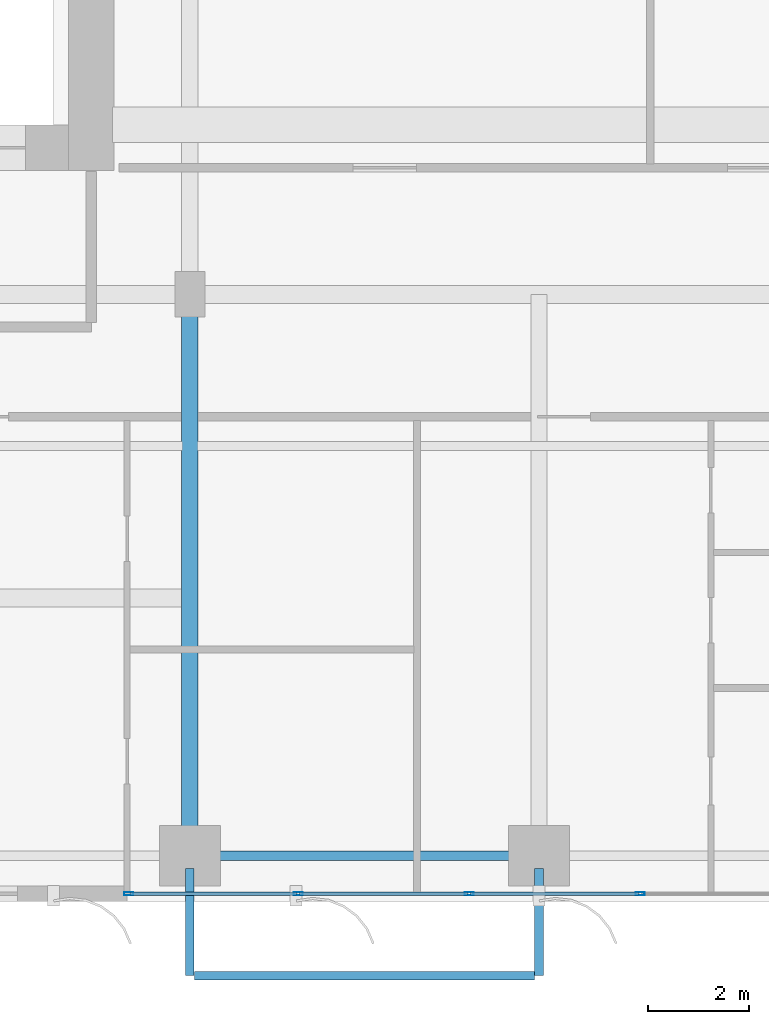
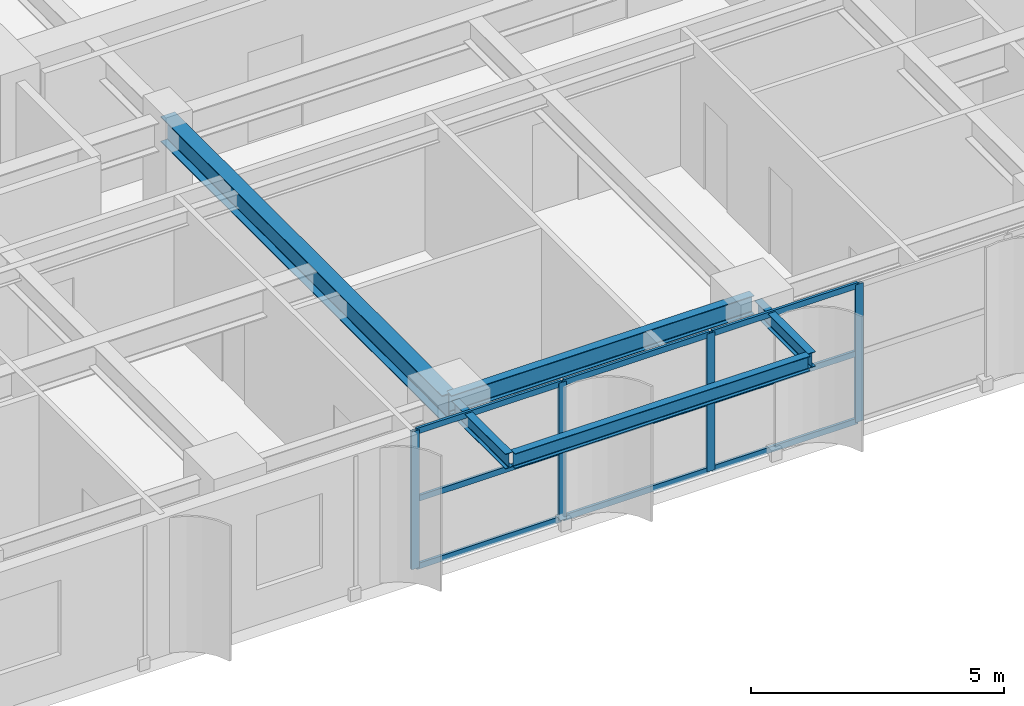
# One storey, part 2 of 25: 13 members, 5 beams, 1 element without a shape of its own.
"""IFC4 building model written with IfcOpenShell, lengths in metres."""

from ifc_helpers import new_model, si_unit, direction, frame, origin, origin_2d, place, context, subcontext, project, spatial, hollow_rectangle, i_section, extrude, source, transform, mapped, material, layer, layer_set, material_profile, profile_set, type_object, element, aggregate, save


model = new_model("IFC4")

# Units and contexts
model_context = context("Model", 3, precision=1e-05, world=origin(), true_north=direction((0.0, 1.0)))
body_context = subcontext(model_context, "Body", "Model", "MODEL_VIEW")
ifc_project = project(units=[si_unit("LENGTHUNIT", "METRE"), si_unit("AREAUNIT", "SQUARE_METRE"), si_unit("VOLUMEUNIT", "CUBIC_METRE"), si_unit("PLANEANGLEUNIT", "RADIAN"), si_unit("MASSUNIT", "GRAM", prefix="KILO")], contexts=[model_context])

# Site, building, storey
site_placement = place(None, origin())
site = spatial("IfcSite", under=ifc_project, at=site_placement, CompositionType="ELEMENT")
building_placement = place(site_placement, origin())
building = spatial("IfcBuilding", under=site, at=building_placement, Name="Khoralis Quay Care Tower", CompositionType="ELEMENT")
storey_placement = place(building_placement, frame((0.0, 0.0, 65.699951171875)))
storey = spatial("IfcBuildingStorey", under=building, at=storey_placement, Name="L17", CompositionType="ELEMENT", Elevation=65.699951171875)

# Beams
ifc_material_1 = material(Name="Steel S355", Category="steel")
ifc_material_profile_1 = material_profile(ifc_material_1, i_section(OverallWidth=0.18994140625, OverallDepth=0.449951171875, WebThickness=0.009521484375, FlangeThickness=0.0146484375, FilletRadius=0.02099609375, at=origin_2d()), Name="Steel S355")
ifc_profile_set_1 = profile_set([ifc_material_profile_1], Name="Steel S355")
beam_type_1 = type_object("IfcBeamType", Name="BM-IPE450", PredefinedType="SPANDREL", material=ifc_profile_set_1)
shared_shape_1 = source(origin(), body_context, "Body", "SweptSolid", [
    extrude(i_section(OverallWidth=0.18994140625, OverallDepth=0.449951171875, WebThickness=0.009521484375, FlangeThickness=0.0146484375, FilletRadius=0.02099609375, at=origin_2d()), origin(), (0.0, 0.0, 1.0), 6.89990234375),
])
beam_1_placement = place(storey_placement, frame((17.10009765625, 0.89990234375, 3.094970703125), z_axis=(1.0, 0.0, 0.0), x_axis=(0.0, 1.0, 0.0)))
element("IfcBeam", 1, at=beam_1_placement, inside=storey, type_object=beam_type_1, Name="BM-TSP-L17-03", PredefinedType="SPANDREL", context=body_context, shape_type="MappedRepresentation", body=[
    mapped(shared_shape_1, transform((0.0, 0.0, 0.0), scale=1.0)),
])
ifc_material_profile_2 = material_profile(ifc_material_1, i_section(OverallWidth=0.324951171875, OverallDepth=0.615966796875, WebThickness=0.013916015625, FlangeThickness=0.021484375, FilletRadius=0.01806640625, at=origin_2d()), Name="Steel S355")
ifc_profile_set_2 = profile_set([ifc_material_profile_2], Name="Steel S355")
beam_type_2 = type_object("IfcBeamType", Name="BM-W610X174", PredefinedType="BEAM", material=ifc_profile_set_2)
shared_shape_2 = source(origin(), body_context, "Body", "SweptSolid", [
    extrude(i_section(OverallWidth=0.324951171875, OverallDepth=0.615966796875, WebThickness=0.013916015625, FlangeThickness=0.021484375, FilletRadius=0.01806640625, at=origin_2d()), origin(), (0.0, 0.0, 1.0), 11.10009765625),
])
beam_2_placement = place(storey_placement, frame((17.10009765625, 0.89990234375, 3.011962890625), z_axis=(0.0, 1.0, 0.0), x_axis=(-1.0, 0.0, 0.0)))
element("IfcBeam", 2, at=beam_2_placement, inside=storey, type_object=beam_type_2, Name="BM-TGYS-L17-171", PredefinedType="BEAM", context=body_context, shape_type="MappedRepresentation", body=[
    mapped(shared_shape_2, transform((0.0, 0.0, 0.0), scale=1.0)),
])

# Curtain wall, members
ifc_material_2 = material(Name="Pale anodised aluminium", Category="aluminium")
ifc_layer = layer(ifc_material_2, 0.179931640625)
ifc_layer_set = layer_set([ifc_layer], Name="Pale anodised aluminium")
curtain_wall_type = type_object("IfcCurtainWallType", Name="CW-SYS-Z1", PredefinedType="NOTDEFINED", material=ifc_layer_set)
curtain_wall_placement = place(storey_placement, origin())
curtain_wall = element("IfcCurtainWall", 3, at=curtain_wall_placement, inside=storey, type_object=curtain_wall_type, Name="L17 Unitised Curtain Wall CW-L17-P1-E0", PredefinedType="NOTDEFINED")
ifc_material_profile_3 = material_profile(ifc_material_2, hollow_rectangle(XDim=0.06494140625, YDim=0.179931640625, WallThickness=0.00390625, at=origin_2d()), Name="Pale anodised aluminium")
ifc_profile_set_3 = profile_set([ifc_material_profile_3], Name="Pale anodised aluminium")
member_type_1 = type_object("IfcMemberType", Name="CW-MUL-180", PredefinedType="MULLION", material=ifc_profile_set_3)
shared_shape_3 = source(origin(), body_context, "Body", "SweptSolid", [
    extrude(hollow_rectangle(XDim=0.06494140625, YDim=0.179931640625, WallThickness=0.00390625, at=origin_2d()), origin(), (0.0, 0.0, 1.0), 3.320068359375),
])
member_1_placement = place(storey_placement, frame((15.888916015625, 0.14990234375, 0.0), z_axis=(0.0, 0.0, 1.0), x_axis=(0.0, 1.0, 0.0)))
member_1 = element("IfcMember", 4, at=member_1_placement, type_object=member_type_1, Name="CW1 mullion 1", PredefinedType="MULLION", context=body_context, shape_type="MappedRepresentation", body=[
    mapped(shared_shape_3, transform((0.0, 0.0, 0.0), scale=1.0)),
])
member_2_placement = place(storey_placement, frame((19.2392578125, 0.14990234375, 0.0), z_axis=(0.0, 0.0, 1.0), x_axis=(0.0, 1.0, 0.0)))
member_2 = element("IfcMember", 5, at=member_2_placement, type_object=member_type_1, Name="CW1 mullion 2", PredefinedType="MULLION", context=body_context, shape_type="MappedRepresentation", body=[
    mapped(shared_shape_3, transform((0.0, 0.0, 0.0), scale=1.0)),
])
member_3_placement = place(storey_placement, frame((22.619384765625, 0.14990234375, 0.0), z_axis=(0.0, 0.0, 1.0), x_axis=(0.0, 1.0, 0.0)))
member_3 = element("IfcMember", 6, at=member_3_placement, type_object=member_type_1, Name="CW1 mullion 3", PredefinedType="MULLION", context=body_context, shape_type="MappedRepresentation", body=[
    mapped(shared_shape_3, transform((0.0, 0.0, 0.0), scale=1.0)),
])
member_4_placement = place(storey_placement, frame((25.99951171875, 0.14990234375, 0.0), z_axis=(0.0, 0.0, 1.0), x_axis=(0.0, 1.0, 0.0)))
member_4 = element("IfcMember", 7, at=member_4_placement, type_object=member_type_1, Name="CW1 mullion 4", PredefinedType="MULLION", context=body_context, shape_type="MappedRepresentation", body=[
    mapped(shared_shape_3, transform((0.0, 0.0, 0.0), scale=1.0)),
])

# Beams
ifc_material_profile_4 = material_profile(ifc_material_1, i_section(OverallWidth=0.169921875, OverallDepth=0.360107421875, WebThickness=0.008056640625, FlangeThickness=0.0126953125, FilletRadius=0.01806640625, at=origin_2d()), Name="Steel S355")
ifc_profile_set_4 = profile_set([ifc_material_profile_4], Name="Steel S355")
beam_type_3 = type_object("IfcBeamType", Name="BM-IPE360", PredefinedType="SPANDREL", material=ifc_profile_set_4)
shared_shape_4 = source(origin(), body_context, "Body", "SweptSolid", [
    extrude(i_section(OverallWidth=0.169921875, OverallDepth=0.360107421875, WebThickness=0.008056640625, FlangeThickness=0.0126953125, FilletRadius=0.01806640625, at=origin_2d()), origin(), (0.0, 0.0, 1.0), 2.119873046875),
])
for number, where, z_axis, x_axis, name in (
    (8, (17.10009765625, 0.64990234375, 3.14404296875), (0.0, -1.0, 0.0), (1.0, 0.0, 0.0), "L18 Balcony Cantilever Outrigger Beam 1"),
    (9, (24.0, 0.64990234375, 3.14404296875), (0.0, -1.0, 0.0), (1.0, 0.0, 0.0), "L18 Balcony Cantilever Outrigger Beam 2"),
):
    element("IfcBeam", number, at=place(storey_placement, frame(where, z_axis=z_axis, x_axis=x_axis)), inside=storey, type_object=beam_type_3, Name=name, PredefinedType="SPANDREL", context=body_context, shape_type="MappedRepresentation", body=[
        mapped(shared_shape_4, transform((0.0, 0.0, 0.0), scale=1.0)),
    ])
shared_shape_5 = source(origin(), body_context, "Body", "SweptSolid", [
    extrude(i_section(OverallWidth=0.169921875, OverallDepth=0.360107421875, WebThickness=0.008056640625, FlangeThickness=0.0126953125, FilletRadius=0.01806640625, at=origin_2d()), origin(), (0.0, 0.0, 1.0), 6.72412109375),
])
beam_3_placement = place(storey_placement, frame((17.18798828125, -1.469970703125, 3.14404296875), z_axis=(1.0, 0.0, 0.0), x_axis=(0.0, 1.0, 0.0)))
element("IfcBeam", 10, at=beam_3_placement, inside=storey, type_object=beam_type_3, Name="L18 Balcony Edge Spandrel Beam P1E0", PredefinedType="SPANDREL", context=body_context, shape_type="MappedRepresentation", body=[
    mapped(shared_shape_5, transform((0.0, 0.0, 0.0), scale=1.0)),
])

# Member
ifc_material_profile_5 = material_profile(ifc_material_2, hollow_rectangle(XDim=0.06005859375, YDim=0.139892578125, WallThickness=0.00390625, at=origin_2d()), Name="Pale anodised aluminium")
ifc_profile_set_5 = profile_set([ifc_material_profile_5], Name="Pale anodised aluminium")
member_type_2 = type_object("IfcMemberType", Name="CW-TRN-140", PredefinedType="USERDEFINED", material=ifc_profile_set_5)
shared_shape_6 = source(origin(), body_context, "Body", "SweptSolid", [
    extrude(hollow_rectangle(XDim=0.06005859375, YDim=0.139892578125, WallThickness=0.00390625, at=origin_2d()), origin(), (0.0, 0.0, 1.0), 3.290283203125),
])
member_5_placement = place(storey_placement, frame((15.9189453125, 0.14990234375, 0.030029296875), z_axis=(1.0, 0.0, 0.0), x_axis=(0.0, 1.0, 0.0)))
member_5 = element("IfcMember", 11, at=member_5_placement, type_object=member_type_2, Name="CW1 transom 1.1", ObjectType="TRANSOM", PredefinedType="USERDEFINED", context=body_context, shape_type="MappedRepresentation", body=[
    mapped(shared_shape_6, transform((0.0, 0.0, 0.0), scale=1.0)),
])

member_6_placement = place(storey_placement, frame((15.9189453125, 0.14990234375, 1.66015625), z_axis=(1.0, 0.0, 0.0), x_axis=(0.0, 1.0, 0.0)))
member_6 = element("IfcMember", 12, at=member_6_placement, type_object=member_type_2, Name="CW1 transom 1.2", ObjectType="TRANSOM", PredefinedType="USERDEFINED", context=body_context, shape_type="MappedRepresentation", body=[
    mapped(shared_shape_6, transform((0.0, 0.0, 0.0), scale=1.0)),
])

member_7_placement = place(storey_placement, frame((15.9189453125, 0.14990234375, 3.2900390625), z_axis=(1.0, 0.0, 0.0), x_axis=(0.0, 1.0, 0.0)))
member_7 = element("IfcMember", 13, at=member_7_placement, type_object=member_type_2, Name="CW1 transom 1.3", ObjectType="TRANSOM", PredefinedType="USERDEFINED", context=body_context, shape_type="MappedRepresentation", body=[
    mapped(shared_shape_6, transform((0.0, 0.0, 0.0), scale=1.0)),
])

shared_shape_7 = source(origin(), body_context, "Body", "SweptSolid", [
    extrude(hollow_rectangle(XDim=0.06005859375, YDim=0.139892578125, WallThickness=0.00390625, at=origin_2d()), origin(), (0.0, 0.0, 1.0), 3.320068359375),
])
member_8_placement = place(storey_placement, frame((19.269287109375, 0.14990234375, 0.030029296875), z_axis=(1.0, 0.0, 0.0), x_axis=(0.0, 1.0, 0.0)))
member_8 = element("IfcMember", 14, at=member_8_placement, type_object=member_type_2, Name="CW1 transom 2.1", ObjectType="TRANSOM", PredefinedType="USERDEFINED", context=body_context, shape_type="MappedRepresentation", body=[
    mapped(shared_shape_7, transform((0.0, 0.0, 0.0), scale=1.0)),
])

member_9_placement = place(storey_placement, frame((19.269287109375, 0.14990234375, 1.66015625), z_axis=(1.0, 0.0, 0.0), x_axis=(0.0, 1.0, 0.0)))
member_9 = element("IfcMember", 15, at=member_9_placement, type_object=member_type_2, Name="CW1 transom 2.2", ObjectType="TRANSOM", PredefinedType="USERDEFINED", context=body_context, shape_type="MappedRepresentation", body=[
    mapped(shared_shape_7, transform((0.0, 0.0, 0.0), scale=1.0)),
])

member_10_placement = place(storey_placement, frame((19.269287109375, 0.14990234375, 3.2900390625), z_axis=(1.0, 0.0, 0.0), x_axis=(0.0, 1.0, 0.0)))
member_10 = element("IfcMember", 16, at=member_10_placement, type_object=member_type_2, Name="CW1 transom 2.3", ObjectType="TRANSOM", PredefinedType="USERDEFINED", context=body_context, shape_type="MappedRepresentation", body=[
    mapped(shared_shape_7, transform((0.0, 0.0, 0.0), scale=1.0)),
])

member_11_placement = place(storey_placement, frame((22.6494140625, 0.14990234375, 0.030029296875), z_axis=(1.0, 0.0, 0.0), x_axis=(0.0, 1.0, 0.0)))
member_11 = element("IfcMember", 17, at=member_11_placement, type_object=member_type_2, Name="CW1 transom 3.1", ObjectType="TRANSOM", PredefinedType="USERDEFINED", context=body_context, shape_type="MappedRepresentation", body=[
    mapped(shared_shape_7, transform((0.0, 0.0, 0.0), scale=1.0)),
])

member_12_placement = place(storey_placement, frame((22.6494140625, 0.14990234375, 1.66015625), z_axis=(1.0, 0.0, 0.0), x_axis=(0.0, 1.0, 0.0)))
member_12 = element("IfcMember", 18, at=member_12_placement, type_object=member_type_2, Name="CW1 transom 3.2", ObjectType="TRANSOM", PredefinedType="USERDEFINED", context=body_context, shape_type="MappedRepresentation", body=[
    mapped(shared_shape_7, transform((0.0, 0.0, 0.0), scale=1.0)),
])

member_13_placement = place(storey_placement, frame((22.6494140625, 0.14990234375, 3.2900390625), z_axis=(1.0, 0.0, 0.0), x_axis=(0.0, 1.0, 0.0)))
member_13 = element("IfcMember", 19, at=member_13_placement, type_object=member_type_2, Name="CW1 transom 3.3", ObjectType="TRANSOM", PredefinedType="USERDEFINED", context=body_context, shape_type="MappedRepresentation", body=[
    mapped(shared_shape_7, transform((0.0, 0.0, 0.0), scale=1.0)),
])

aggregate(curtain_wall, [member_1, member_2, member_3, member_4, member_5, member_6, member_7, member_8, member_9, member_10, member_11, member_12, member_13])

save(model, "model.ifc")
